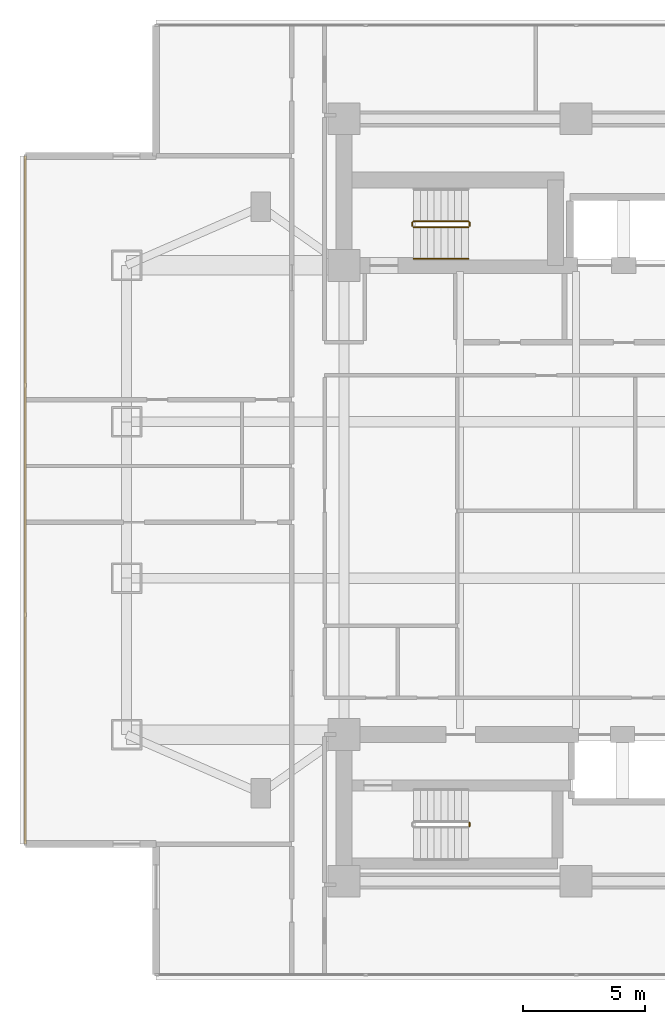
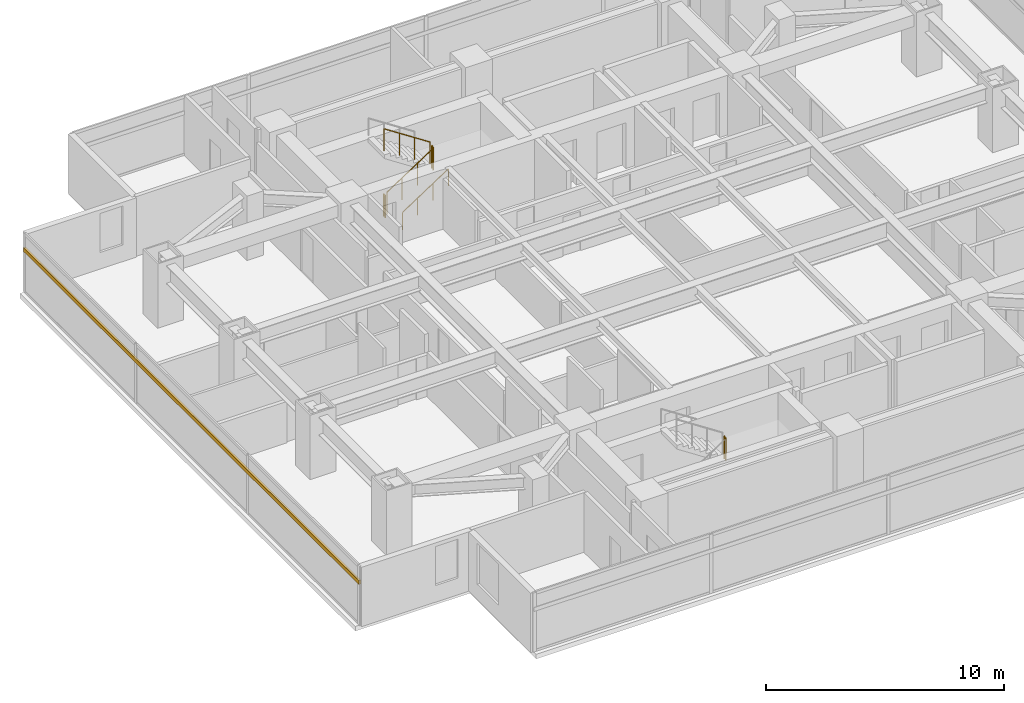
# One storey, part 24 of 27: 6 railings, 1 shading device.
"""IFC4 building model written with IfcOpenShell, lengths in metres."""

from ifc_helpers import new_model, si_unit, direction, frame, origin, origin_2d, place, context, subcontext, project, spatial, rectangle, circle, extrude, material, material_profile, profile_set, type_object, element, save


model = new_model("IFC4")

# Units and contexts
model_context = context("Model", 3, precision=1e-05, world=origin(), true_north=direction((0.0, 1.0)))
body_context = subcontext(model_context, "Body", "Model", "MODEL_VIEW")
ifc_project = project(units=[si_unit("LENGTHUNIT", "METRE"), si_unit("AREAUNIT", "SQUARE_METRE"), si_unit("VOLUMEUNIT", "CUBIC_METRE"), si_unit("PLANEANGLEUNIT", "RADIAN"), si_unit("MASSUNIT", "GRAM", prefix="KILO")], contexts=[model_context])

# Site, building, storey
site_placement = place(None, origin())
site = spatial("IfcSite", under=ifc_project, at=site_placement, CompositionType="ELEMENT")
building_placement = place(site_placement, origin())
building = spatial("IfcBuilding", under=site, at=building_placement, Name="Mirazonda Arch Towers", CompositionType="ELEMENT")
storey_placement = place(building_placement, frame((0.0, 0.0, 75.199951171875)))
storey = spatial("IfcBuildingStorey", under=building, at=storey_placement, Name="L21", CompositionType="ELEMENT", Elevation=75.199951171875)

# Shading device
ifc_material_1 = material(Name="Kiln-Fired Architectural Terracotta", Category="masonry")
ifc_material_profile = material_profile(ifc_material_1, rectangle(XDim=0.10009765625, YDim=0.199951171875, at=origin_2d()), Name="TERRA-BAG-100x200")
ifc_profile_set = profile_set([ifc_material_profile], Name="Kiln-Fired Architectural Terracotta")
shading_device_type = type_object("IfcShadingDeviceType", Name="BAGUETTE-2", PredefinedType="USERDEFINED", material=ifc_profile_set)
shading_device_placement = place(storey_placement, frame((-2.0400390625, 42.0859375, 2.18896484375), z_axis=(0.0, -1.0, 0.0), x_axis=(1.0, 0.0, 0.0)))
element("IfcShadingDevice", 1, at=shading_device_placement, inside=storey, type_object=shading_device_type, Name="L21 Glazed Terracotta Sun-Screen Baguette CW-L21-T1-W", ObjectType="BAGUETTE", PredefinedType="USERDEFINED", context=body_context, shape_type="SweptSolid", body=[
    extrude(rectangle(XDim=0.10009765625, YDim=0.199951171875, at=origin_2d()), origin(), (0.0, 0.0, 1.0), 28.171875),
])

# Railings
ifc_material_2 = material(Name="Architectural Brushed Steel S355", Category="steel")
railing_type_1 = type_object("IfcRailingType", Name="GUARD-STAIR-1120", PredefinedType="GUARDRAIL", material=ifc_material_2)
railing_1_placement = place(storey_placement, frame((13.85009765625, 39.169921875, 0.183349609375)))
element("IfcRailing", 2, at=railing_1_placement, inside=storey, type_object=railing_type_1, Name="L21 ST-T1N stair guard 1", PredefinedType="GUARDRAIL", context=body_context, shape_type="SweptSolid", body=[
    extrude(circle(Radius=0.02392578125, at=origin_2d()), frame((0.0, 0.0, 1.1259765625), z_axis=(0.836595146698, 0.0, 0.547821650285), x_axis=(0.0, 1.0, 0.0)), (0.0, 0.0, 1.0), 2.677490234375),
    extrude(circle(Radius=0.02099609375, at=origin_2d()), origin(), (0.0, 0.0, 1.0), 1.101806640625),
    extrude(circle(Radius=0.02099609375, at=origin_2d()), frame((0.74658203125, 0.0, 0.489013671875)), (0.0, 0.0, 1.0), 1.101806640625),
    extrude(circle(Radius=0.02099609375, at=origin_2d()), frame((1.493408203125, 0.0, 0.977783203125)), (0.0, 0.0, 1.0), 1.101806640625),
    extrude(circle(Radius=0.02099609375, at=origin_2d()), frame((2.239990234375, 0.0, 1.466796875)), (0.0, 0.0, 1.0), 1.101806640625),
])
railing_2_placement = place(storey_placement, frame((16.139892578125, 39.219970703125, 1.650146484375)))
element("IfcRailing", 3, at=railing_2_placement, inside=storey, type_object=railing_type_1, Name="L21 ST-T1N stair guard 2", PredefinedType="GUARDRAIL", context=body_context, shape_type="SweptSolid", body=[
    extrude(circle(Radius=0.02392578125, at=origin_2d()), frame((0.0, 0.0, 1.1259765625), z_axis=(0.0, 1.0, 0.0), x_axis=(-1.0, 0.0, 0.0)), (0.0, 0.0, 1.0), 0.14013671875),
    extrude(circle(Radius=0.02099609375, at=origin_2d()), origin(), (0.0, 0.0, 1.0), 1.101806640625),
    extrude(circle(Radius=0.02099609375, at=origin_2d()), frame((0.0, 0.14013671875, 0.0)), (0.0, 0.0, 1.0), 1.101806640625),
])
railing_3_placement = place(storey_placement, frame((16.090087890625, 39.409912109375, 1.83349609375)))
element("IfcRailing", 4, at=railing_3_placement, inside=storey, type_object=railing_type_1, Name="L21 ST-T1N stair guard 3", PredefinedType="GUARDRAIL", context=body_context, shape_type="SweptSolid", body=[
    extrude(circle(Radius=0.02392578125, at=origin_2d()), frame((0.0, 0.0, 1.1259765625), z_axis=(-0.836636935527, 0.0, 0.547757827979), x_axis=(0.0, -1.0, 0.0)), (0.0, 0.0, 1.0), 2.677490234375),
    extrude(circle(Radius=0.02099609375, at=origin_2d()), origin(), (0.0, 0.0, 1.0), 1.101806640625),
    extrude(circle(Radius=0.02099609375, at=origin_2d()), frame((-0.74658203125, 0.0, 0.48876953125)), (0.0, 0.0, 1.0), 1.101806640625),
    extrude(circle(Radius=0.02099609375, at=origin_2d()), frame((-1.493408203125, 0.0, 0.977783203125)), (0.0, 0.0, 1.0), 1.101806640625),
    extrude(circle(Radius=0.02099609375, at=origin_2d()), frame((-2.239990234375, 0.0, 1.466552734375)), (0.0, 0.0, 1.0), 1.101806640625),
])
for number, where, name in (
    (5, (13.800048828125, 39.219970703125, 0.0), "L21 ST-T1N stair guard 4"),
    (6, (16.139892578125, 14.64990234375, 1.650146484375), "L21 ST-T1S stair guard 2"),
):
    element("IfcRailing", number, at=place(storey_placement, frame(where)), inside=storey, type_object=railing_type_1, Name=name, PredefinedType="GUARDRAIL", context=body_context, shape_type="SweptSolid", body=[
        extrude(circle(Radius=0.02392578125, at=origin_2d()), frame((0.0, 0.0, 1.1259765625), z_axis=(0.0, 1.0, 0.0), x_axis=(-1.0, 0.0, 0.0)), (0.0, 0.0, 1.0), 0.14013671875),
        extrude(circle(Radius=0.02099609375, at=origin_2d()), origin(), (0.0, 0.0, 1.0), 1.101806640625),
        extrude(circle(Radius=0.02099609375, at=origin_2d()), frame((0.0, 0.14013671875, 0.0)), (0.0, 0.0, 1.0), 1.101806640625),
    ])
railing_type_2 = type_object("IfcRailingType", Name="HANDRAIL-915", PredefinedType="HANDRAIL", material=ifc_material_2)
railing_4_placement = place(storey_placement, frame((13.85009765625, 37.8701171875, 0.183349609375)))
element("IfcRailing", 7, at=railing_4_placement, inside=storey, type_object=railing_type_2, Name="L21 ST-T1N stair handrail 1", PredefinedType="HANDRAIL", context=body_context, shape_type="SweptSolid", body=[
    extrude(circle(Radius=0.02392578125, at=origin_2d()), frame((0.0, 0.0, 0.8759765625), z_axis=(0.836595146698, 0.0, 0.547821650285), x_axis=(0.0, 1.0, 0.0)), (0.0, 0.0, 1.0), 2.677490234375),
    extrude(circle(Radius=0.02099609375, at=origin_2d()), origin(), (0.0, 0.0, 1.0), 0.851806640625),
    extrude(circle(Radius=0.02099609375, at=origin_2d()), frame((0.74658203125, 0.0, 0.489013671875)), (0.0, 0.0, 1.0), 0.851806640625),
    extrude(circle(Radius=0.02099609375, at=origin_2d()), frame((1.493408203125, 0.0, 0.977783203125)), (0.0, 0.0, 1.0), 0.851806640625),
    extrude(circle(Radius=0.02099609375, at=origin_2d()), frame((2.239990234375, 0.0, 1.466796875)), (0.0, 0.0, 1.0), 0.851806640625),
])

save(model, "model.ifc")
